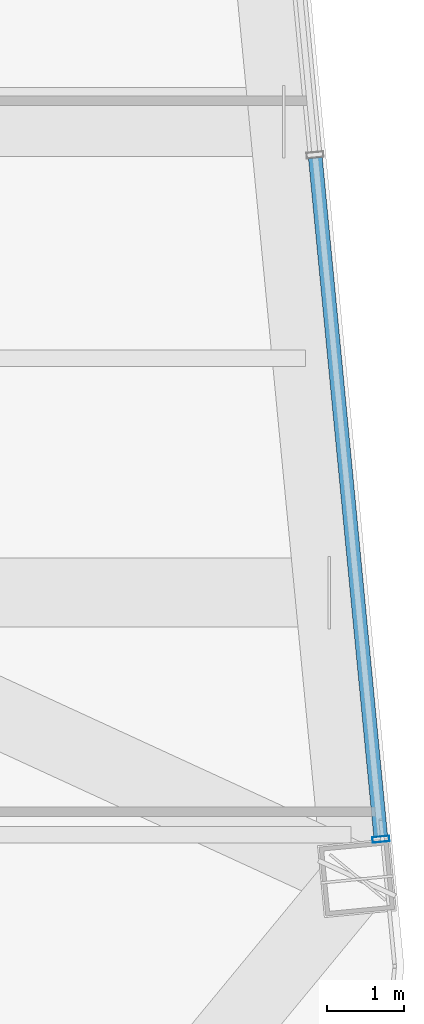
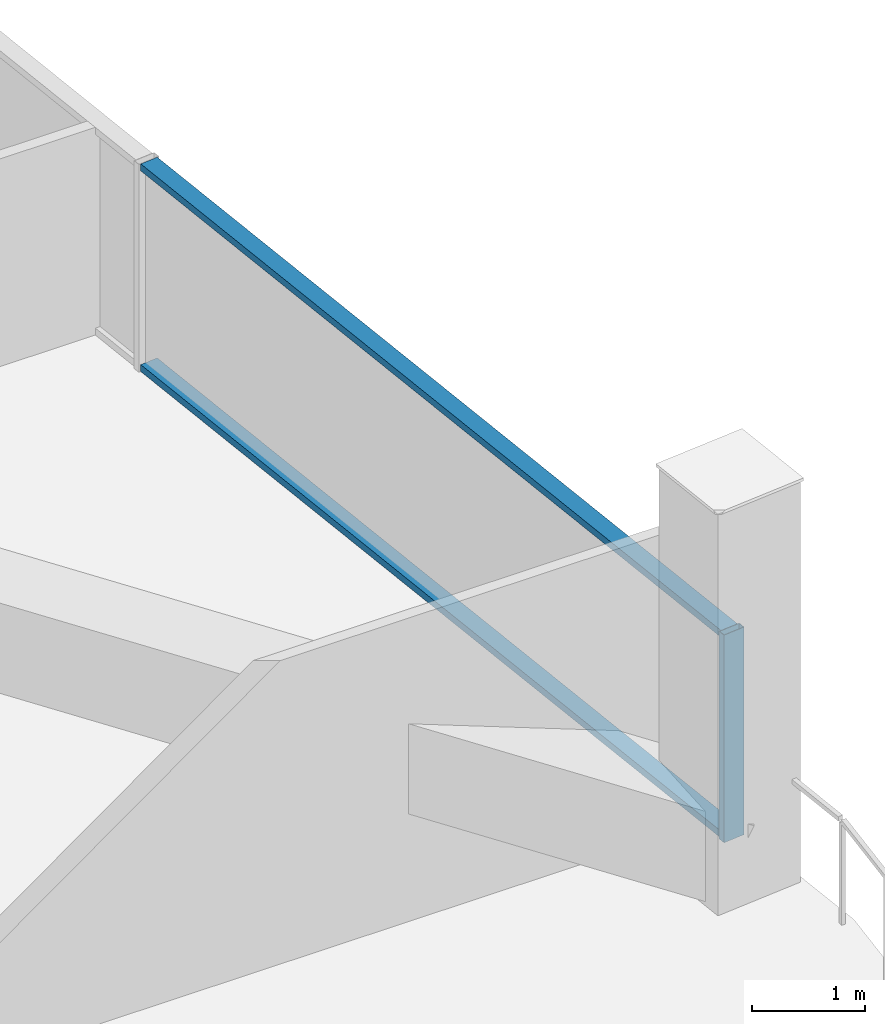
# One storey, part 11 of 30: 3 members, 1 element without a shape of its own.
"""IFC4 building model written with IfcOpenShell, lengths in metres."""

from ifc_helpers import new_model, si_unit, direction, frame, origin, origin_2d, place, context, subcontext, project, spatial, hollow_rectangle, extrude, material, layer, layer_set, material_profile, profile_set, type_object, element, aggregate, save


model = new_model("IFC4")

# Units and contexts
model_context = context("Model", 3, precision=1e-05, world=origin(), true_north=direction((0.0, 1.0)))
body_context = subcontext(model_context, "Body", "Model", "MODEL_VIEW")
ifc_project = project(units=[si_unit("LENGTHUNIT", "METRE"), si_unit("AREAUNIT", "SQUARE_METRE"), si_unit("VOLUMEUNIT", "CUBIC_METRE"), si_unit("PLANEANGLEUNIT", "RADIAN"), si_unit("MASSUNIT", "GRAM", prefix="KILO")], contexts=[model_context])

# Site, building, storey
site_placement = place(None, origin())
site = spatial("IfcSite", under=ifc_project, at=site_placement, CompositionType="ELEMENT")
building_placement = place(site_placement, origin())
building = spatial("IfcBuilding", under=site, at=building_placement, Name="Qhalaya Broadcast Tower", CompositionType="ELEMENT")
storey_placement = place(building_placement, frame((0.0, 0.0, 96.89990234375)))
storey = spatial("IfcBuildingStorey", under=building, at=storey_placement, Name="L28", CompositionType="ELEMENT", Elevation=96.89990234375)

# Curtain wall, members
ifc_material_1 = material(Name="Fired Architectural Terracotta", Category="masonry")
ifc_layer = layer(ifc_material_1, 0.219970703125, Name="Fired Architectural Terracotta")
ifc_layer_set = layer_set([ifc_layer], Name="Fired Architectural Terracotta")
curtain_wall_type = type_object("IfcCurtainWallType", Name="Block-Cap Unitised Terracotta Spandrel Wall CW-07", PredefinedType="NOTDEFINED", material=ifc_layer_set)
curtain_wall_placement = place(storey_placement, origin())
curtain_wall = element("IfcCurtainWall", 1, at=curtain_wall_placement, inside=storey, type_object=curtain_wall_type, Name="L28 Unitised Curtain Wall L28-CW-E", PredefinedType="NOTDEFINED")
ifc_material_2 = material(Name="Anodised Aluminium 6063-T6", Category="aluminium")
ifc_material_profile_1 = material_profile(ifc_material_2, hollow_rectangle(XDim=0.074951171875, YDim=0.219970703125, WallThickness=0.00390625, at=origin_2d()), Name="ALU-MUL 75x220x4")
ifc_profile_set_1 = profile_set([ifc_material_profile_1], Name="Anodised Aluminium 6063-T6")
member_type_1 = type_object("IfcMemberType", Name="Unitised Curtain-Wall Mullion M01", PredefinedType="MULLION", material=ifc_profile_set_1)
member_1_placement = place(storey_placement, frame((29.60546875, -11.95751953125, 0.0), z_axis=(0.0, 0.0, 1.0), x_axis=(0.095846812756, -0.995396096278, 0.0)))
member_1 = element("IfcMember", 2, at=member_1_placement, type_object=member_type_1, Name="CW-07 mullion 5", PredefinedType="MULLION", context=body_context, shape_type="SweptSolid", body=[
    extrude(hollow_rectangle(XDim=0.074951171875, YDim=0.219970703125, WallThickness=0.00390625, at=origin_2d()), origin(), (0.0, 0.0, 1.0), 2.25),
])
ifc_material_profile_2 = material_profile(ifc_material_2, hollow_rectangle(XDim=0.074951171875, YDim=0.179931640625, WallThickness=0.00390625, at=origin_2d()), Name="ALU-TRN 75x180x4")
ifc_profile_set_2 = profile_set([ifc_material_profile_2], Name="Anodised Aluminium 6063-T6")
member_type_2 = type_object("IfcMemberType", Name="Unitised Curtain-Wall Transom T01", PredefinedType="USERDEFINED", material=ifc_profile_set_2)
member_2_placement = place(storey_placement, frame((28.751708984375, -3.092529296875, 0.03759765625), z_axis=(0.095856133689, -0.99539519872, 0.0), x_axis=(0.0, 0.0, 1.0)))
member_2 = element("IfcMember", 3, at=member_2_placement, type_object=member_type_2, Name="CW-07 transom 4.1", ObjectType="TRANSOM", PredefinedType="USERDEFINED", context=body_context, shape_type="SweptSolid", body=[
    extrude(hollow_rectangle(XDim=0.074951171875, YDim=0.179931640625, WallThickness=0.00390625, at=origin_2d()), origin(), (0.0, 0.0, 1.0), 8.868408203125),
])
member_3_placement = place(storey_placement, frame((28.751708984375, -3.092529296875, 2.212646484375), z_axis=(0.095856133689, -0.99539519872, 0.0), x_axis=(0.0, 0.0, 1.0)))
member_3 = element("IfcMember", 4, at=member_3_placement, type_object=member_type_2, Name="CW-07 transom 4.2", ObjectType="TRANSOM", PredefinedType="USERDEFINED", context=body_context, shape_type="SweptSolid", body=[
    extrude(hollow_rectangle(XDim=0.074951171875, YDim=0.179931640625, WallThickness=0.00390625, at=origin_2d()), origin(), (0.0, 0.0, 1.0), 8.868408203125),
])
aggregate(curtain_wall, [member_1, member_2, member_3])

save(model, "model.ifc")
